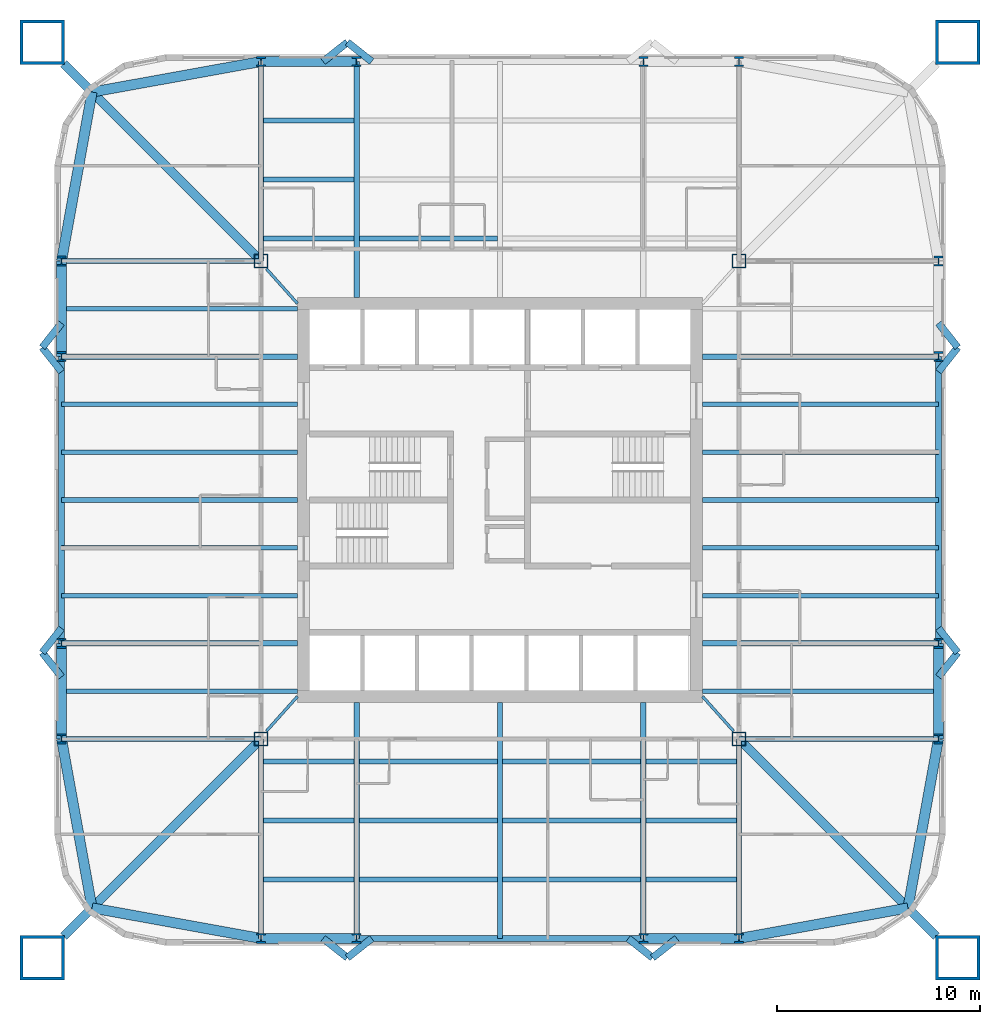
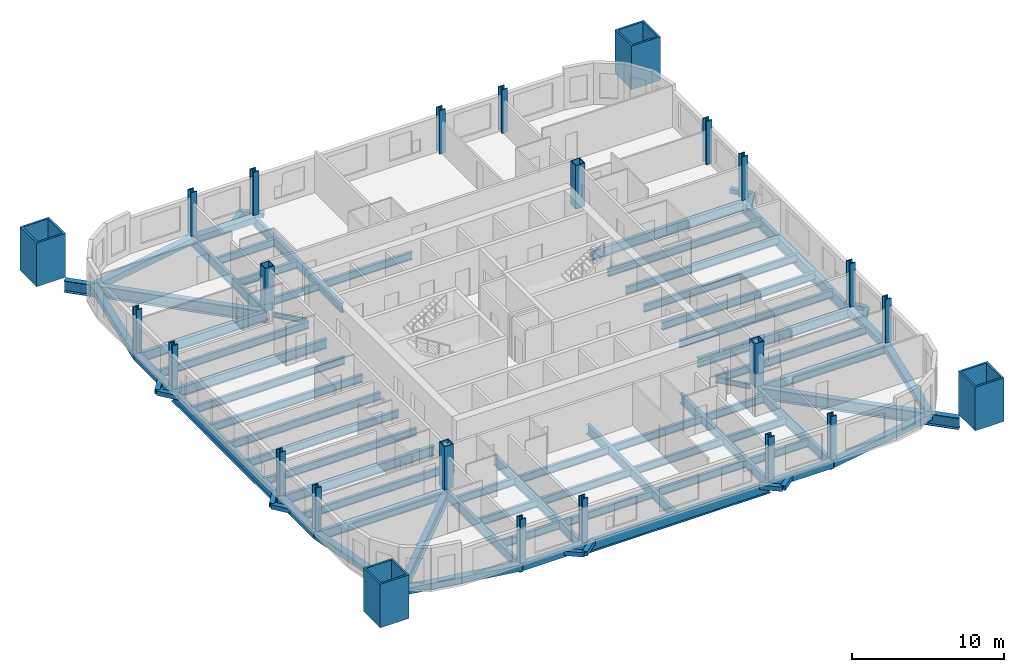
# One storey, part 1 of 10: 78 beams, 24 columns.
"""IFC4 building model written with IfcOpenShell, lengths in metres."""

from ifc_helpers import new_model, si_unit, direction, frame, origin, origin_2d, place, context, subcontext, project, spatial, hollow_rectangle, i_section, extrude, material, material_profile, profile_set, type_object, element, save


model = new_model("IFC4")

# Units and contexts
model_context = context("Model", 3, precision=1e-05, world=origin(), true_north=direction((0.0, 1.0)))
body_context = subcontext(model_context, "Body", "Model", "MODEL_VIEW")
ifc_project = project(units=[si_unit("LENGTHUNIT", "METRE"), si_unit("AREAUNIT", "SQUARE_METRE"), si_unit("VOLUMEUNIT", "CUBIC_METRE"), si_unit("PLANEANGLEUNIT", "RADIAN"), si_unit("MASSUNIT", "GRAM", prefix="KILO")], contexts=[model_context])

# Site, building, storey
site_placement = place(None, origin())
site = spatial("IfcSite", under=ifc_project, at=site_placement, CompositionType="ELEMENT")
building_placement = place(site_placement, origin())
building = spatial("IfcBuilding", under=site, at=building_placement, Name="Turquesa Mirador Hotel Tower", CompositionType="ELEMENT")
storey_placement = place(building_placement, frame((0.0, 0.0, 46.0)))
storey = spatial("IfcBuildingStorey", under=building, at=storey_placement, Name="L11", CompositionType="ELEMENT", Elevation=46.0)

# Columns
ifc_material_1 = material(Name="Steel ASTM A572 Grade 50", Category="steel")
ifc_material_profile_1 = material_profile(ifc_material_1, hollow_rectangle(XDim=0.699951171875, YDim=0.699951171875, WallThickness=0.06005859375, at=origin_2d()), Name="BOX700X700X60")
ifc_profile_set_1 = profile_set([ifc_material_profile_1], Name="Steel ASTM A572 Grade 50")
column_type_1 = type_object("IfcColumnType", Name="COLUMN BOX700X700X60", PredefinedType="COLUMN", material=ifc_profile_set_1)
for number, where, z_axis, x_axis, name in (
    (1, (43.199951171875, 33.199951171875, 0.0), (0.0, 0.0, 1.0), (1.0, 0.0, 0.0), "COL-L11-K--11.80--11.80"),
    (2, (43.199951171875, 56.800048828125, 0.0), (0.0, 0.0, 1.0), (1.0, 0.0, 0.0), "COL-L11-K--11.80-+11.80"),
    (3, (66.800048828125, 33.199951171875, 0.0), (0.0, 0.0, 1.0), (1.0, 0.0, 0.0), "COL-L11-K-+11.80--11.80"),
    (4, (66.800048828125, 56.800048828125, 0.0), (0.0, 0.0, 1.0), (1.0, 0.0, 0.0), "COL-L11-K-+11.80-+11.80"),
):
    element("IfcColumn", number, at=place(storey_placement, frame(where, z_axis=z_axis, x_axis=x_axis)), inside=storey, type_object=column_type_1, Name=name, PredefinedType="COLUMN", context=body_context, shape_type="SweptSolid", body=[
        extrude(hollow_rectangle(XDim=0.699951171875, YDim=0.699951171875, WallThickness=0.06005859375, at=origin_2d()), origin(), (0.0, 0.0, 1.0), 3.5),
    ])
ifc_material_2 = material(Name="Steel ASTM A992 Grade 50", Category="steel")
ifc_material_profile_2 = material_profile(ifc_material_2, i_section(OverallWidth=0.431884765625, OverallDepth=0.497802734375, WebThickness=0.0556640625, FlangeThickness=0.0888671875, at=origin_2d()), Name="W14X500")
ifc_profile_set_2 = profile_set([ifc_material_profile_2], Name="Steel ASTM A992 Grade 50")
column_type_2 = type_object("IfcColumnType", Name="COLUMN W14X500", PredefinedType="COLUMN", material=ifc_profile_set_2)
for number, where, z_axis, x_axis, name in (
    (5, (33.35009765625, 33.199951171875, 0.0), (0.0, 0.0, 1.0), (1.0, 0.0, 0.0), "COL-L11-P--21.65--11.80"),
    (6, (33.35009765625, 37.919921875, 0.0), (0.0, 0.0, 1.0), (1.0, 0.0, 0.0), "COL-L11-P--21.65--7.08"),
    (7, (33.35009765625, 52.080078125, 0.0), (0.0, 0.0, 1.0), (1.0, 0.0, 0.0), "COL-L11-P--21.65-+7.08"),
    (8, (33.35009765625, 56.800048828125, 0.0), (0.0, 0.0, 1.0), (1.0, 0.0, 0.0), "COL-L11-P--21.65-+11.80"),
    (9, (43.199951171875, 23.35009765625, 0.0), (0.0, 0.0, 1.0), (1.0, 0.0, 0.0), "COL-L11-P--11.80--21.65"),
    (10, (43.199951171875, 66.64990234375, 0.0), (0.0, 0.0, 1.0), (1.0, 0.0, 0.0), "COL-L11-P--11.80-+21.65"),
    (11, (47.919921875, 23.35009765625, 0.0), (0.0, 0.0, 1.0), (1.0, 0.0, 0.0), "COL-L11-P--7.08--21.65"),
    (12, (47.919921875, 66.64990234375, 0.0), (0.0, 0.0, 1.0), (1.0, 0.0, 0.0), "COL-L11-P--7.08-+21.65"),
    (13, (62.080078125, 23.35009765625, 0.0), (0.0, 0.0, 1.0), (1.0, 0.0, 0.0), "COL-L11-P-+7.08--21.65"),
    (14, (62.080078125, 66.64990234375, 0.0), (0.0, 0.0, 1.0), (1.0, 0.0, 0.0), "COL-L11-P-+7.08-+21.65"),
    (15, (66.800048828125, 23.35009765625, 0.0), (0.0, 0.0, 1.0), (1.0, 0.0, 0.0), "COL-L11-P-+11.80--21.65"),
    (16, (66.800048828125, 66.64990234375, 0.0), (0.0, 0.0, 1.0), (1.0, 0.0, 0.0), "COL-L11-P-+11.80-+21.65"),
    (17, (76.64990234375, 33.199951171875, 0.0), (0.0, 0.0, 1.0), (1.0, 0.0, 0.0), "COL-L11-P-+21.65--11.80"),
    (18, (76.64990234375, 37.919921875, 0.0), (0.0, 0.0, 1.0), (1.0, 0.0, 0.0), "COL-L11-P-+21.65--7.08"),
    (19, (76.64990234375, 52.080078125, 0.0), (0.0, 0.0, 1.0), (1.0, 0.0, 0.0), "COL-L11-P-+21.65-+7.08"),
    (20, (76.64990234375, 56.800048828125, 0.0), (0.0, 0.0, 1.0), (1.0, 0.0, 0.0), "COL-L11-P-+21.65-+11.80"),
):
    element("IfcColumn", number, at=place(storey_placement, frame(where, z_axis=z_axis, x_axis=x_axis)), inside=storey, type_object=column_type_2, Name=name, PredefinedType="COLUMN", context=body_context, shape_type="SweptSolid", body=[
        extrude(i_section(OverallWidth=0.431884765625, OverallDepth=0.497802734375, WebThickness=0.0556640625, FlangeThickness=0.0888671875, at=origin_2d()), origin(), (0.0, 0.0, 1.0), 3.5),
    ])
ifc_material_3 = material(Name="Steel ASTM A514 Grade Q", Category="steel")
ifc_material_profile_3 = material_profile(ifc_material_3, hollow_rectangle(XDim=2.199951171875, YDim=2.199951171875, WallThickness=0.14990234375, at=origin_2d()), Name="BOX2200X2200X150")
ifc_profile_set_3 = profile_set([ifc_material_profile_3], Name="Steel ASTM A514 Grade Q")
column_type_3 = type_object("IfcColumnType", Name="MEGA COLUMN BOX2200X2200X150", PredefinedType="COLUMN", material=ifc_profile_set_3)
for number, where, z_axis, x_axis, name in (
    (21, (77.60009765625, 67.60009765625, 0.0), (0.0, 0.0, 1.0), (1.0, 0.0, 0.0), "Mega column M1"),
    (22, (32.39990234375, 67.60009765625, 0.0), (0.0, 0.0, 1.0), (1.0, 0.0, 0.0), "Mega column M2"),
    (23, (32.39990234375, 22.39990234375, 0.0), (0.0, 0.0, 1.0), (1.0, 0.0, 0.0), "Mega column M3"),
    (24, (77.60009765625, 22.39990234375, 0.0), (0.0, 0.0, 1.0), (1.0, 0.0, 0.0), "Mega column M4"),
):
    element("IfcColumn", number, at=place(storey_placement, frame(where, z_axis=z_axis, x_axis=x_axis)), inside=storey, type_object=column_type_3, Name=name, PredefinedType="COLUMN", context=body_context, shape_type="SweptSolid", body=[
        extrude(hollow_rectangle(XDim=2.199951171875, YDim=2.199951171875, WallThickness=0.14990234375, at=origin_2d()), origin(), (0.0, 0.0, 1.0), 3.5),
    ])

# Beams
ifc_material_4 = material(Name="Steel ASTM A572 Grade 50", Category="steel")
ifc_material_profile_4 = material_profile(ifc_material_4, hollow_rectangle(XDim=0.5, YDim=0.5, WallThickness=0.01611328125, at=origin_2d()), Name="BOX500X500X16")
ifc_profile_set_4 = profile_set([ifc_material_profile_4], Name="Steel ASTM A572 Grade 50")
beam_type_1 = type_object("IfcBeamType", Name="BEAM BOX500X500X16", PredefinedType="BEAM", material=ifc_profile_set_4)
for number, where, z_axis, x_axis, name in (
    (25, (43.199951171875, 66.64990234375, -0.419921875), (1.0, 0.0, 0.0), (0.0, 1.0, 0.0), "EB-L11-N-L"),
    (26, (43.199951171875, 23.35009765625, -0.419921875), (1.0, 0.0, 0.0), (0.0, 1.0, 0.0), "EB-L11-S-L"),
    (27, (62.080078125, 23.35009765625, -0.419921875), (1.0, 0.0, 0.0), (0.0, 1.0, 0.0), "EB-L11-S-R"),
    (28, (76.64990234375, 33.199951171875, -0.419921875), (0.0, 1.0, 0.0), (-1.0, 0.0, 0.0), "EB-L11-E-L"),
    (29, (33.35009765625, 33.199951171875, -0.419921875), (0.0, 1.0, 0.0), (-1.0, 0.0, 0.0), "EB-L11-W-L"),
    (30, (33.35009765625, 52.080078125, -0.419921875), (0.0, 1.0, 0.0), (-1.0, 0.0, 0.0), "EB-L11-W-R"),
):
    element("IfcBeam", number, at=place(storey_placement, frame(where, z_axis=z_axis, x_axis=x_axis)), inside=storey, type_object=beam_type_1, Name=name, PredefinedType="BEAM", context=body_context, shape_type="SweptSolid", body=[
        extrude(hollow_rectangle(XDim=0.5, YDim=0.5, WallThickness=0.01611328125, at=origin_2d()), origin(), (0.0, 0.0, 1.0), 4.719970703125),
    ])
for number, where, z_axis, x_axis, name in (
    (31, (33.35009765625, 56.800048828125, -0.419921875), (0.177932387818, 0.984042715214, 0.0), (-0.984042715214, 0.177932387818, 0.0), "KE-L11-2-0"),
    (32, (34.8583984375, 65.1416015625, -0.419921875), (0.984042715214, 0.177932387818, 0.0), (-0.177932387818, 0.984042715214, 0.0), "KE-L11-2-1"),
    (33, (33.35009765625, 33.199951171875, -0.419921875), (0.177932387818, -0.984042715214, 0.0), (0.984042715214, 0.177932387818, 0.0), "KE-L11-3-0"),
    (34, (34.8583984375, 24.8583984375, -0.419921875), (0.984042715214, -0.177932387818, 0.0), (0.177932387818, 0.984042715214, 0.0), "KE-L11-3-1"),
    (35, (76.64990234375, 33.199951171875, -0.419921875), (-0.177932387818, -0.984042715214, 0.0), (0.984042715214, -0.177932387818, 0.0), "KE-L11-4-0"),
    (36, (75.1416015625, 24.8583984375, -0.419921875), (-0.984042715214, -0.177932387818, 0.0), (0.177932387818, -0.984042715214, 0.0), "KE-L11-4-1"),
):
    element("IfcBeam", number, at=place(storey_placement, frame(where, z_axis=z_axis, x_axis=x_axis)), inside=storey, type_object=beam_type_1, Name=name, PredefinedType="BEAM", context=body_context, shape_type="SweptSolid", body=[
        extrude(hollow_rectangle(XDim=0.5, YDim=0.5, WallThickness=0.01611328125, at=origin_2d()), origin(), (0.0, 0.0, 1.0), 8.476806640625),
    ])
ifc_material_5 = material(Name="Steel ASTM A992 Grade 50", Category="steel")
ifc_material_profile_5 = material_profile(ifc_material_5, i_section(OverallWidth=0.140380859375, OverallDepth=0.40380859375, WebThickness=0.007080078125, FlangeThickness=0.01123046875, at=origin_2d()), Name="W16X31")
ifc_profile_set_5 = profile_set([ifc_material_profile_5], Name="Steel ASTM A992 Grade 50")
beam_type_2 = type_object("IfcBeamType", Name="BEAM W16X31", PredefinedType="BEAM", material=ifc_profile_set_5)
for number, where, z_axis, x_axis, name in (
    (37, (43.470458984375, 56.40966796875, -0.371826171875), (0.666745084392, -0.745285846129, 0.0), (0.745285846129, 0.666745084392, 0.0), "KT-L11-2"),
    (38, (43.470458984375, 33.59033203125, -0.371826171875), (0.666745084392, 0.745285846129, 0.0), (-0.745285846129, 0.666745084392, 0.0), "KT-L11-3"),
    (39, (66.529541015625, 33.59033203125, -0.371826171875), (-0.666745084392, 0.745285846129, 0.0), (-0.745285846129, -0.666745084392, 0.0), "KT-L11-4"),
):
    element("IfcBeam", number, at=place(storey_placement, frame(where, z_axis=z_axis, x_axis=x_axis)), inside=storey, type_object=beam_type_2, Name=name, PredefinedType="BEAM", context=body_context, shape_type="SweptSolid", body=[
        extrude(i_section(OverallWidth=0.140380859375, OverallDepth=0.40380859375, WebThickness=0.007080078125, FlangeThickness=0.01123046875, at=origin_2d()), origin(), (0.0, 0.0, 1.0), 2.2939453125),
    ])
ifc_material_6 = material(Name="Steel ASTM A992 Grade 50", Category="steel")
ifc_material_profile_6 = material_profile(ifc_material_6, i_section(OverallWidth=0.228271484375, OverallDepth=0.607177734375, WebThickness=0.01123046875, FlangeThickness=0.017333984375, at=origin_2d()), Name="W24X76")
ifc_profile_set_6 = profile_set([ifc_material_profile_6], Name="Steel ASTM A992 Grade 50")
beam_type_3 = type_object("IfcBeamType", Name="BEAM W24X76", PredefinedType="BEAM", material=ifc_profile_set_6)
beam_1_placement = place(storey_placement, frame((43.333251953125, 57.912109375, -0.4736328125), z_axis=(1.0, 0.0, 0.0), x_axis=(0.0, 1.0, 0.0)))
element("IfcBeam", 40, at=beam_1_placement, inside=storey, type_object=beam_type_3, Name="IB-L11-N-1-0", PredefinedType="BEAM", context=body_context, shape_type="SweptSolid", body=[
    extrude(i_section(OverallWidth=0.228271484375, OverallDepth=0.607177734375, WebThickness=0.01123046875, FlangeThickness=0.017333984375, at=origin_2d()), origin(), (0.0, 0.0, 1.0), 4.453369140625),
])
beam_2_placement = place(storey_placement, frame((48.053466796875, 57.912109375, -0.4736328125), z_axis=(1.0, 0.0, 0.0), x_axis=(0.0, 1.0, 0.0)))
element("IfcBeam", 41, at=beam_2_placement, inside=storey, type_object=beam_type_3, Name="IB-L11-N-1-1", PredefinedType="BEAM", context=body_context, shape_type="SweptSolid", body=[
    extrude(i_section(OverallWidth=0.228271484375, OverallDepth=0.607177734375, WebThickness=0.01123046875, FlangeThickness=0.017333984375, at=origin_2d()), origin(), (0.0, 0.0, 1.0), 6.813232421875),
])
for number, where, z_axis, x_axis, name in (
    (42, (43.333251953125, 60.824951171875, -0.4736328125), (1.0, 0.0, 0.0), (0.0, 1.0, 0.0), "IB-L11-N-2-0"),
    (43, (43.333251953125, 63.737060546875, -0.4736328125), (1.0, 0.0, 0.0), (0.0, 1.0, 0.0), "IB-L11-N-3-0"),
    (44, (43.333251953125, 32.087890625, -0.4736328125), (1.0, 0.0, 0.0), (0.0, 1.0, 0.0), "IB-L11-S-1-0"),
):
    element("IfcBeam", number, at=place(storey_placement, frame(where, z_axis=z_axis, x_axis=x_axis)), inside=storey, type_object=beam_type_3, Name=name, PredefinedType="BEAM", context=body_context, shape_type="SweptSolid", body=[
        extrude(i_section(OverallWidth=0.228271484375, OverallDepth=0.607177734375, WebThickness=0.01123046875, FlangeThickness=0.017333984375, at=origin_2d()), origin(), (0.0, 0.0, 1.0), 4.453369140625),
    ])
for number, where, z_axis, x_axis, name in (
    (45, (48.053466796875, 32.087890625, -0.4736328125), (1.0, 0.0, 0.0), (0.0, 1.0, 0.0), "IB-L11-S-1-1"),
    (46, (55.13330078125, 32.087890625, -0.4736328125), (1.0, 0.0, 0.0), (0.0, 1.0, 0.0), "IB-L11-S-1-2"),
):
    element("IfcBeam", number, at=place(storey_placement, frame(where, z_axis=z_axis, x_axis=x_axis)), inside=storey, type_object=beam_type_3, Name=name, PredefinedType="BEAM", context=body_context, shape_type="SweptSolid", body=[
        extrude(i_section(OverallWidth=0.228271484375, OverallDepth=0.607177734375, WebThickness=0.01123046875, FlangeThickness=0.017333984375, at=origin_2d()), origin(), (0.0, 0.0, 1.0), 6.813232421875),
    ])
for number, where, z_axis, x_axis, name in (
    (47, (62.21337890625, 32.087890625, -0.4736328125), (1.0, 0.0, 0.0), (0.0, 1.0, 0.0), "IB-L11-S-1-3"),
    (48, (43.333251953125, 29.175048828125, -0.4736328125), (1.0, 0.0, 0.0), (0.0, 1.0, 0.0), "IB-L11-S-2-0"),
):
    element("IfcBeam", number, at=place(storey_placement, frame(where, z_axis=z_axis, x_axis=x_axis)), inside=storey, type_object=beam_type_3, Name=name, PredefinedType="BEAM", context=body_context, shape_type="SweptSolid", body=[
        extrude(i_section(OverallWidth=0.228271484375, OverallDepth=0.607177734375, WebThickness=0.01123046875, FlangeThickness=0.017333984375, at=origin_2d()), origin(), (0.0, 0.0, 1.0), 4.453369140625),
    ])
for number, where, z_axis, x_axis, name in (
    (49, (48.053466796875, 29.175048828125, -0.4736328125), (1.0, 0.0, 0.0), (0.0, 1.0, 0.0), "IB-L11-S-2-1"),
    (50, (55.13330078125, 29.175048828125, -0.4736328125), (1.0, 0.0, 0.0), (0.0, 1.0, 0.0), "IB-L11-S-2-2"),
):
    element("IfcBeam", number, at=place(storey_placement, frame(where, z_axis=z_axis, x_axis=x_axis)), inside=storey, type_object=beam_type_3, Name=name, PredefinedType="BEAM", context=body_context, shape_type="SweptSolid", body=[
        extrude(i_section(OverallWidth=0.228271484375, OverallDepth=0.607177734375, WebThickness=0.01123046875, FlangeThickness=0.017333984375, at=origin_2d()), origin(), (0.0, 0.0, 1.0), 6.813232421875),
    ])
for number, where, z_axis, x_axis, name in (
    (51, (62.21337890625, 29.175048828125, -0.4736328125), (1.0, 0.0, 0.0), (0.0, 1.0, 0.0), "IB-L11-S-2-3"),
    (52, (43.333251953125, 26.262939453125, -0.4736328125), (1.0, 0.0, 0.0), (0.0, 1.0, 0.0), "IB-L11-S-3-0"),
):
    element("IfcBeam", number, at=place(storey_placement, frame(where, z_axis=z_axis, x_axis=x_axis)), inside=storey, type_object=beam_type_3, Name=name, PredefinedType="BEAM", context=body_context, shape_type="SweptSolid", body=[
        extrude(i_section(OverallWidth=0.228271484375, OverallDepth=0.607177734375, WebThickness=0.01123046875, FlangeThickness=0.017333984375, at=origin_2d()), origin(), (0.0, 0.0, 1.0), 4.453369140625),
    ])
for number, where, z_axis, x_axis, name in (
    (53, (48.053466796875, 26.262939453125, -0.4736328125), (1.0, 0.0, 0.0), (0.0, 1.0, 0.0), "IB-L11-S-3-1"),
    (54, (55.13330078125, 26.262939453125, -0.4736328125), (1.0, 0.0, 0.0), (0.0, 1.0, 0.0), "IB-L11-S-3-2"),
):
    element("IfcBeam", number, at=place(storey_placement, frame(where, z_axis=z_axis, x_axis=x_axis)), inside=storey, type_object=beam_type_3, Name=name, PredefinedType="BEAM", context=body_context, shape_type="SweptSolid", body=[
        extrude(i_section(OverallWidth=0.228271484375, OverallDepth=0.607177734375, WebThickness=0.01123046875, FlangeThickness=0.017333984375, at=origin_2d()), origin(), (0.0, 0.0, 1.0), 6.813232421875),
    ])
beam_3_placement = place(storey_placement, frame((62.21337890625, 26.262939453125, -0.4736328125), z_axis=(1.0, 0.0, 0.0), x_axis=(0.0, 1.0, 0.0)))
element("IfcBeam", 55, at=beam_3_placement, inside=storey, type_object=beam_type_3, Name="IB-L11-S-3-3", PredefinedType="BEAM", context=body_context, shape_type="SweptSolid", body=[
    extrude(i_section(OverallWidth=0.228271484375, OverallDepth=0.607177734375, WebThickness=0.01123046875, FlangeThickness=0.017333984375, at=origin_2d()), origin(), (0.0, 0.0, 1.0), 4.453369140625),
])
for number, where, z_axis, x_axis, name in (
    (56, (76.64990234375, 35.56005859375, -0.4736328125), (-1.0, 0.0, 0.0), (0.0, -1.0, 0.0), "BM-L11-E--9.44"),
    (57, (76.64990234375, 40.280029296875, -0.4736328125), (-1.0, 0.0, 0.0), (0.0, -1.0, 0.0), "BM-L11-E--4.72"),
    (58, (76.64990234375, 42.639892578125, -0.4736328125), (-1.0, 0.0, 0.0), (0.0, -1.0, 0.0), "BM-L11-E--2.36"),
    (59, (76.64990234375, 45.0, -0.4736328125), (-1.0, 0.0, 0.0), (0.0, -1.0, 0.0), "BM-L11-E-+0.00"),
    (60, (76.64990234375, 47.360107421875, -0.4736328125), (-1.0, 0.0, 0.0), (0.0, -1.0, 0.0), "BM-L11-E-+2.36"),
    (61, (76.64990234375, 49.719970703125, -0.4736328125), (-1.0, 0.0, 0.0), (0.0, -1.0, 0.0), "BM-L11-E-+4.72"),
    (62, (33.35009765625, 35.56005859375, -0.4736328125), (1.0, 0.0, 0.0), (0.0, 1.0, 0.0), "BM-L11-W--9.44"),
    (63, (33.35009765625, 40.280029296875, -0.4736328125), (1.0, 0.0, 0.0), (0.0, 1.0, 0.0), "BM-L11-W--4.72"),
    (64, (33.35009765625, 42.639892578125, -0.4736328125), (1.0, 0.0, 0.0), (0.0, 1.0, 0.0), "BM-L11-W--2.36"),
    (65, (33.35009765625, 45.0, -0.4736328125), (1.0, 0.0, 0.0), (0.0, 1.0, 0.0), "BM-L11-W-+0.00"),
    (66, (33.35009765625, 47.360107421875, -0.4736328125), (1.0, 0.0, 0.0), (0.0, 1.0, 0.0), "BM-L11-W-+2.36"),
    (67, (33.35009765625, 49.719970703125, -0.4736328125), (1.0, 0.0, 0.0), (0.0, 1.0, 0.0), "BM-L11-W-+4.72"),
    (68, (33.35009765625, 54.43994140625, -0.4736328125), (1.0, 0.0, 0.0), (0.0, 1.0, 0.0), "BM-L11-W-+9.44"),
):
    element("IfcBeam", number, at=place(storey_placement, frame(where, z_axis=z_axis, x_axis=x_axis)), inside=storey, type_object=beam_type_3, Name=name, PredefinedType="BEAM", context=body_context, shape_type="SweptSolid", body=[
        extrude(i_section(OverallWidth=0.228271484375, OverallDepth=0.607177734375, WebThickness=0.01123046875, FlangeThickness=0.017333984375, at=origin_2d()), origin(), (0.0, 0.0, 1.0), 11.64990234375),
    ])
ifc_material_7 = material(Name="Steel ASTM A992 Grade 50", Category="steel")
ifc_material_profile_7 = material_profile(ifc_material_7, i_section(OverallWidth=0.2666015625, OverallDepth=0.7568359375, WebThickness=0.013916015625, FlangeThickness=0.019287109375, at=origin_2d()), Name="W30X108")
ifc_profile_set_7 = profile_set([ifc_material_profile_7], Name="Steel ASTM A992 Grade 50")
beam_type_4 = type_object("IfcBeamType", Name="BEAM W30X108", PredefinedType="BEAM", material=ifc_profile_set_7)
beam_4_placement = place(storey_placement, frame((47.919921875, 66.64990234375, -0.54833984375), z_axis=(0.0, -1.0, 0.0), x_axis=(1.0, 0.0, 0.0)))
element("IfcBeam", 69, at=beam_4_placement, inside=storey, type_object=beam_type_4, Name="GD-L11-N--7.08", PredefinedType="BEAM", context=body_context, shape_type="SweptSolid", body=[
    extrude(i_section(OverallWidth=0.2666015625, OverallDepth=0.7568359375, WebThickness=0.013916015625, FlangeThickness=0.019287109375, at=origin_2d()), origin(), (0.0, 0.0, 1.0), 11.64990234375),
])
beam_5_placement = place(storey_placement, frame((43.199951171875, 66.64990234375, -0.54833984375), z_axis=(0.0, -1.0, 0.0), x_axis=(1.0, 0.0, 0.0)))
element("IfcBeam", 70, at=beam_5_placement, inside=storey, type_object=beam_type_4, Name="GK-L11-N--11.80", PredefinedType="BEAM", context=body_context, shape_type="SweptSolid", body=[
    extrude(i_section(OverallWidth=0.2666015625, OverallDepth=0.7568359375, WebThickness=0.013916015625, FlangeThickness=0.019287109375, at=origin_2d()), origin(), (0.0, 0.0, 1.0), 9.849853515625),
])
for number, where, z_axis, x_axis, name in (
    (71, (47.919921875, 23.35009765625, -0.54833984375), (0.0, 1.0, 0.0), (-1.0, 0.0, 0.0), "GD-L11-S--7.08"),
    (72, (62.080078125, 23.35009765625, -0.54833984375), (0.0, 1.0, 0.0), (-1.0, 0.0, 0.0), "GD-L11-S-+7.08"),
    (73, (55.0, 23.35009765625, -0.54833984375), (0.0, 1.0, 0.0), (-1.0, 0.0, 0.0), "GD-L11-S-+0.00"),
):
    element("IfcBeam", number, at=place(storey_placement, frame(where, z_axis=z_axis, x_axis=x_axis)), inside=storey, type_object=beam_type_4, Name=name, PredefinedType="BEAM", context=body_context, shape_type="SweptSolid", body=[
        extrude(i_section(OverallWidth=0.2666015625, OverallDepth=0.7568359375, WebThickness=0.013916015625, FlangeThickness=0.019287109375, at=origin_2d()), origin(), (0.0, 0.0, 1.0), 11.64990234375),
    ])
for number, where, z_axis, x_axis, name in (
    (74, (43.199951171875, 23.35009765625, -0.54833984375), (0.0, 1.0, 0.0), (-1.0, 0.0, 0.0), "GK-L11-S--11.80"),
    (75, (66.800048828125, 23.35009765625, -0.54833984375), (0.0, 1.0, 0.0), (-1.0, 0.0, 0.0), "GK-L11-S-+11.80"),
):
    element("IfcBeam", number, at=place(storey_placement, frame(where, z_axis=z_axis, x_axis=x_axis)), inside=storey, type_object=beam_type_4, Name=name, PredefinedType="BEAM", context=body_context, shape_type="SweptSolid", body=[
        extrude(i_section(OverallWidth=0.2666015625, OverallDepth=0.7568359375, WebThickness=0.013916015625, FlangeThickness=0.019287109375, at=origin_2d()), origin(), (0.0, 0.0, 1.0), 9.849853515625),
    ])
for number, where, z_axis, x_axis, name in (
    (76, (76.64990234375, 37.919921875, -0.54833984375), (-1.0, 0.0, 0.0), (0.0, -1.0, 0.0), "GD-L11-E--7.08"),
    (77, (76.64990234375, 52.080078125, -0.54833984375), (-1.0, 0.0, 0.0), (0.0, -1.0, 0.0), "GD-L11-E-+7.08"),
):
    element("IfcBeam", number, at=place(storey_placement, frame(where, z_axis=z_axis, x_axis=x_axis)), inside=storey, type_object=beam_type_4, Name=name, PredefinedType="BEAM", context=body_context, shape_type="SweptSolid", body=[
        extrude(i_section(OverallWidth=0.2666015625, OverallDepth=0.7568359375, WebThickness=0.013916015625, FlangeThickness=0.019287109375, at=origin_2d()), origin(), (0.0, 0.0, 1.0), 11.64990234375),
    ])
beam_6_placement = place(storey_placement, frame((76.64990234375, 33.199951171875, -0.54833984375), z_axis=(-1.0, 0.0, 0.0), x_axis=(0.0, -1.0, 0.0)))
element("IfcBeam", 78, at=beam_6_placement, inside=storey, type_object=beam_type_4, Name="GK-L11-E--11.80", PredefinedType="BEAM", context=body_context, shape_type="SweptSolid", body=[
    extrude(i_section(OverallWidth=0.2666015625, OverallDepth=0.7568359375, WebThickness=0.013916015625, FlangeThickness=0.019287109375, at=origin_2d()), origin(), (0.0, 0.0, 1.0), 9.849853515625),
])
for number, where, z_axis, x_axis, name in (
    (79, (33.35009765625, 37.919921875, -0.54833984375), (1.0, 0.0, 0.0), (0.0, 1.0, 0.0), "GD-L11-W--7.08"),
    (80, (33.35009765625, 52.080078125, -0.54833984375), (1.0, 0.0, 0.0), (0.0, 1.0, 0.0), "GD-L11-W-+7.08"),
):
    element("IfcBeam", number, at=place(storey_placement, frame(where, z_axis=z_axis, x_axis=x_axis)), inside=storey, type_object=beam_type_4, Name=name, PredefinedType="BEAM", context=body_context, shape_type="SweptSolid", body=[
        extrude(i_section(OverallWidth=0.2666015625, OverallDepth=0.7568359375, WebThickness=0.013916015625, FlangeThickness=0.019287109375, at=origin_2d()), origin(), (0.0, 0.0, 1.0), 11.64990234375),
    ])
for number, where, z_axis, x_axis, name in (
    (81, (33.35009765625, 33.199951171875, -0.54833984375), (1.0, 0.0, 0.0), (0.0, 1.0, 0.0), "GK-L11-W--11.80"),
    (82, (33.35009765625, 56.800048828125, -0.54833984375), (1.0, 0.0, 0.0), (0.0, 1.0, 0.0), "GK-L11-W-+11.80"),
):
    element("IfcBeam", number, at=place(storey_placement, frame(where, z_axis=z_axis, x_axis=x_axis)), inside=storey, type_object=beam_type_4, Name=name, PredefinedType="BEAM", context=body_context, shape_type="SweptSolid", body=[
        extrude(i_section(OverallWidth=0.2666015625, OverallDepth=0.7568359375, WebThickness=0.013916015625, FlangeThickness=0.019287109375, at=origin_2d()), origin(), (0.0, 0.0, 1.0), 9.849853515625),
    ])
ifc_material_8 = material(Name="Steel ASTM A992 Grade 50", Category="steel")
ifc_material_profile_8 = material_profile(ifc_material_8, i_section(OverallWidth=0.3046875, OverallDepth=0.911865234375, WebThickness=0.015869140625, FlangeThickness=0.02392578125, at=origin_2d()), Name="W36X150")
ifc_profile_set_8 = profile_set([ifc_material_profile_8], Name="Steel ASTM A992 Grade 50")
beam_type_5 = type_object("IfcBeamType", Name="BEAM W36X150", PredefinedType="BEAM", material=ifc_profile_set_8)
for number, where, z_axis, x_axis, name in (
    (83, (47.919921875, 23.35009765625, -0.6259765625), (1.0, 0.0, 0.0), (0.0, 1.0, 0.0), "EB-L11-S-C"),
    (84, (76.64990234375, 37.919921875, -0.6259765625), (0.0, 1.0, 0.0), (-1.0, 0.0, 0.0), "EB-L11-E-C"),
    (85, (33.35009765625, 37.919921875, -0.6259765625), (0.0, 1.0, 0.0), (-1.0, 0.0, 0.0), "EB-L11-W-C"),
):
    element("IfcBeam", number, at=place(storey_placement, frame(where, z_axis=z_axis, x_axis=x_axis)), inside=storey, type_object=beam_type_5, Name=name, PredefinedType="BEAM", context=body_context, shape_type="SweptSolid", body=[
        extrude(i_section(OverallWidth=0.3046875, OverallDepth=0.911865234375, WebThickness=0.015869140625, FlangeThickness=0.02392578125, at=origin_2d()), origin(), (0.0, 0.0, 1.0), 14.16015625),
    ])
ifc_material_9 = material(Name="Steel ASTM A992 Grade 50", Category="steel")
ifc_material_profile_9 = material_profile(ifc_material_9, i_section(OverallWidth=0.419189453125, OverallDepth=0.927001953125, WebThickness=0.019287109375, FlangeThickness=0.031982421875, at=origin_2d()), Name="W36X231")
ifc_profile_set_9 = profile_set([ifc_material_profile_9], Name="Steel ASTM A992 Grade 50")
beam_type_6 = type_object("IfcBeamType", Name="BEAM W36X231", PredefinedType="BEAM", material=ifc_profile_set_9)
for number, where, z_axis, x_axis, name in (
    (86, (43.199951171875, 56.800048828125, -0.633544921875), (-0.707106781187, 0.707106781187, 0.0), (-0.707106781187, -0.707106781187, 0.0), "KD-L11-2"),
    (87, (43.199951171875, 33.199951171875, -0.633544921875), (-0.707106781187, -0.707106781187, 0.0), (0.707106781187, -0.707106781187, 0.0), "KD-L11-3"),
    (88, (66.800048828125, 33.199951171875, -0.633544921875), (0.707106781187, -0.707106781187, 0.0), (0.707106781187, 0.707106781187, 0.0), "KD-L11-4"),
):
    element("IfcBeam", number, at=place(storey_placement, frame(where, z_axis=z_axis, x_axis=x_axis)), inside=storey, type_object=beam_type_6, Name=name, PredefinedType="BEAM", context=body_context, shape_type="SweptSolid", body=[
        extrude(i_section(OverallWidth=0.419189453125, OverallDepth=0.927001953125, WebThickness=0.019287109375, FlangeThickness=0.031982421875, at=origin_2d()), origin(), (0.0, 0.0, 1.0), 13.78857421875),
    ])
ifc_material_10 = material(Name="Steel ASTM A500 Grade C", Category="steel")
ifc_material_profile_10 = material_profile(ifc_material_10, hollow_rectangle(XDim=0.355712890625, YDim=0.355712890625, WallThickness=0.0146484375, at=origin_2d()), Name="HSS14X14X5/8")
ifc_profile_set_10 = profile_set([ifc_material_profile_10], Name="Steel ASTM A500 Grade C")
beam_type_7 = type_object("IfcBeamType", Name="BRACE STRUT HSS14X14X5/8", PredefinedType="BEAM", material=ifc_profile_set_10)
beam_7_placement = place(storey_placement, frame((47.466552734375, 67.60009765625, -0.347900390625), z_axis=(-0.783971428146, -0.620796907089, 0.0), x_axis=(0.620796907089, -0.783971428146, 0.0)))
element("IfcBeam", 89, at=beam_7_placement, inside=storey, type_object=beam_type_7, Name="Brace strut", PredefinedType="BEAM", context=body_context, shape_type="SweptSolid", body=[
    extrude(hollow_rectangle(XDim=0.355712890625, YDim=0.355712890625, WallThickness=0.0146484375, at=origin_2d()), origin(), (0.0, 0.0, 1.0), 1.530517578125),
])
beam_8_placement = place(storey_placement, frame((47.466552734375, 67.60009765625, -0.347900390625), z_axis=(0.784032888399, -0.620719284306, 0.0), x_axis=(0.620719284306, 0.784032888399, 0.0)))
element("IfcBeam", 90, at=beam_8_placement, inside=storey, type_object=beam_type_7, Name="Brace strut", PredefinedType="BEAM", context=body_context, shape_type="SweptSolid", body=[
    extrude(hollow_rectangle(XDim=0.355712890625, YDim=0.355712890625, WallThickness=0.0146484375, at=origin_2d()), origin(), (0.0, 0.0, 1.0), 1.53076171875),
])
beam_9_placement = place(storey_placement, frame((47.466552734375, 22.39990234375, -0.347900390625), z_axis=(-0.783971428146, 0.620796907089, 0.0), x_axis=(-0.620796907089, -0.783971428146, 0.0)))
element("IfcBeam", 91, at=beam_9_placement, inside=storey, type_object=beam_type_7, Name="Brace strut", PredefinedType="BEAM", context=body_context, shape_type="SweptSolid", body=[
    extrude(hollow_rectangle(XDim=0.355712890625, YDim=0.355712890625, WallThickness=0.0146484375, at=origin_2d()), origin(), (0.0, 0.0, 1.0), 1.530517578125),
])
for number, where, z_axis, x_axis, name in (
    (92, (47.466552734375, 22.39990234375, -0.347900390625), (0.784032888399, 0.620719284306, 0.0), (-0.620719284306, 0.784032888399, 0.0), "Brace strut"),
    (93, (62.533447265625, 22.39990234375, -0.347900390625), (-0.784032888399, 0.620719284306, 0.0), (-0.620719284306, -0.784032888399, 0.0), "Brace strut"),
):
    element("IfcBeam", number, at=place(storey_placement, frame(where, z_axis=z_axis, x_axis=x_axis)), inside=storey, type_object=beam_type_7, Name=name, PredefinedType="BEAM", context=body_context, shape_type="SweptSolid", body=[
        extrude(hollow_rectangle(XDim=0.355712890625, YDim=0.355712890625, WallThickness=0.0146484375, at=origin_2d()), origin(), (0.0, 0.0, 1.0), 1.53076171875),
    ])
for number, where, z_axis, x_axis, name in (
    (94, (62.533447265625, 22.39990234375, -0.347900390625), (0.783971428146, 0.620796907089, 0.0), (-0.620796907089, 0.783971428146, 0.0), "Brace strut"),
    (95, (77.60009765625, 37.466552734375, -0.347900390625), (-0.620796907089, -0.783971428146, 0.0), (0.783971428146, -0.620796907089, 0.0), "Brace strut"),
):
    element("IfcBeam", number, at=place(storey_placement, frame(where, z_axis=z_axis, x_axis=x_axis)), inside=storey, type_object=beam_type_7, Name=name, PredefinedType="BEAM", context=body_context, shape_type="SweptSolid", body=[
        extrude(hollow_rectangle(XDim=0.355712890625, YDim=0.355712890625, WallThickness=0.0146484375, at=origin_2d()), origin(), (0.0, 0.0, 1.0), 1.530517578125),
    ])
for number, where, z_axis, x_axis, name in (
    (96, (77.60009765625, 37.466552734375, -0.347900390625), (-0.620719284306, 0.784032888399, 0.0), (-0.784032888399, -0.620719284306, 0.0), "Brace strut"),
    (97, (77.60009765625, 52.533447265625, -0.347900390625), (-0.620719284306, -0.784032888399, 0.0), (0.784032888399, -0.620719284306, 0.0), "Brace strut"),
):
    element("IfcBeam", number, at=place(storey_placement, frame(where, z_axis=z_axis, x_axis=x_axis)), inside=storey, type_object=beam_type_7, Name=name, PredefinedType="BEAM", context=body_context, shape_type="SweptSolid", body=[
        extrude(hollow_rectangle(XDim=0.355712890625, YDim=0.355712890625, WallThickness=0.0146484375, at=origin_2d()), origin(), (0.0, 0.0, 1.0), 1.53076171875),
    ])
for number, where, z_axis, x_axis, name in (
    (98, (77.60009765625, 52.533447265625, -0.347900390625), (-0.620796907089, 0.783971428146, 0.0), (-0.783971428146, -0.620796907089, 0.0), "Brace strut"),
    (99, (32.39990234375, 37.466552734375, -0.347900390625), (0.620796907089, -0.783971428146, 0.0), (0.783971428146, 0.620796907089, 0.0), "Brace strut"),
):
    element("IfcBeam", number, at=place(storey_placement, frame(where, z_axis=z_axis, x_axis=x_axis)), inside=storey, type_object=beam_type_7, Name=name, PredefinedType="BEAM", context=body_context, shape_type="SweptSolid", body=[
        extrude(hollow_rectangle(XDim=0.355712890625, YDim=0.355712890625, WallThickness=0.0146484375, at=origin_2d()), origin(), (0.0, 0.0, 1.0), 1.530517578125),
    ])
for number, where, z_axis, x_axis, name in (
    (100, (32.39990234375, 37.466552734375, -0.347900390625), (0.620719284306, 0.784032888399, 0.0), (-0.784032888399, 0.620719284306, 0.0), "Brace strut"),
    (101, (32.39990234375, 52.533447265625, -0.347900390625), (0.620719284306, -0.784032888399, 0.0), (0.784032888399, 0.620719284306, 0.0), "Brace strut"),
):
    element("IfcBeam", number, at=place(storey_placement, frame(where, z_axis=z_axis, x_axis=x_axis)), inside=storey, type_object=beam_type_7, Name=name, PredefinedType="BEAM", context=body_context, shape_type="SweptSolid", body=[
        extrude(hollow_rectangle(XDim=0.355712890625, YDim=0.355712890625, WallThickness=0.0146484375, at=origin_2d()), origin(), (0.0, 0.0, 1.0), 1.53076171875),
    ])
beam_10_placement = place(storey_placement, frame((32.39990234375, 52.533447265625, -0.347900390625), z_axis=(0.620796907089, 0.783971428146, 0.0), x_axis=(-0.783971428146, 0.620796907089, 0.0)))
element("IfcBeam", 102, at=beam_10_placement, inside=storey, type_object=beam_type_7, Name="Brace strut", PredefinedType="BEAM", context=body_context, shape_type="SweptSolid", body=[
    extrude(hollow_rectangle(XDim=0.355712890625, YDim=0.355712890625, WallThickness=0.0146484375, at=origin_2d()), origin(), (0.0, 0.0, 1.0), 1.530517578125),
])

save(model, "model.ifc")
